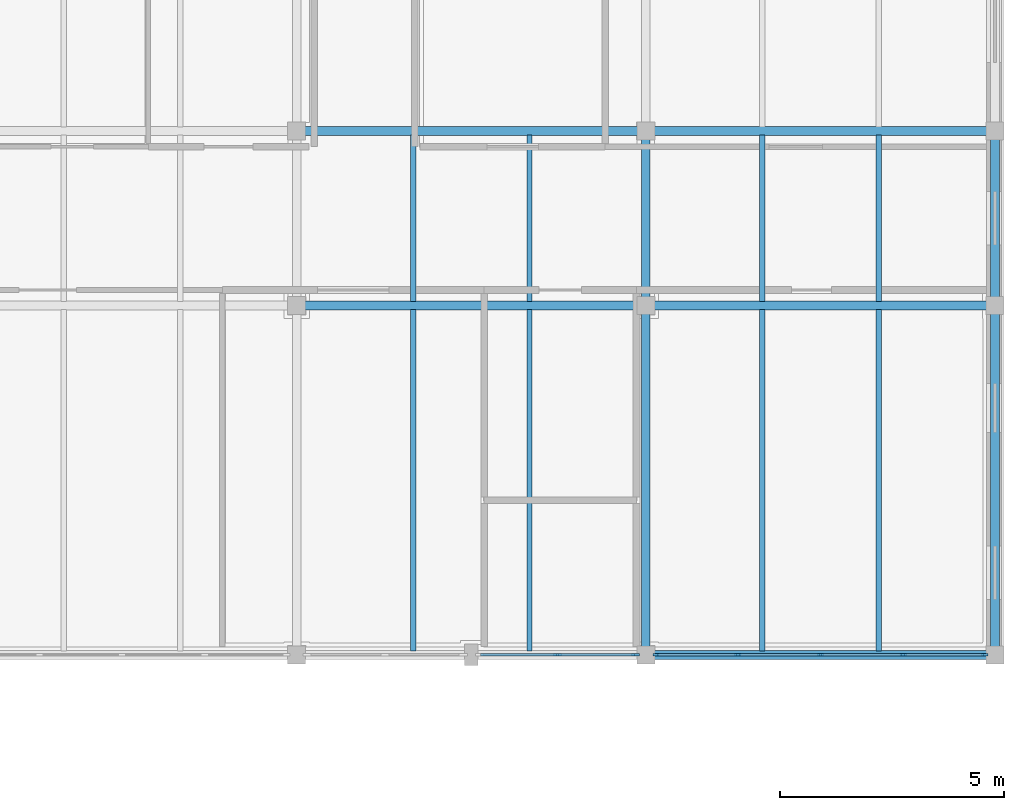
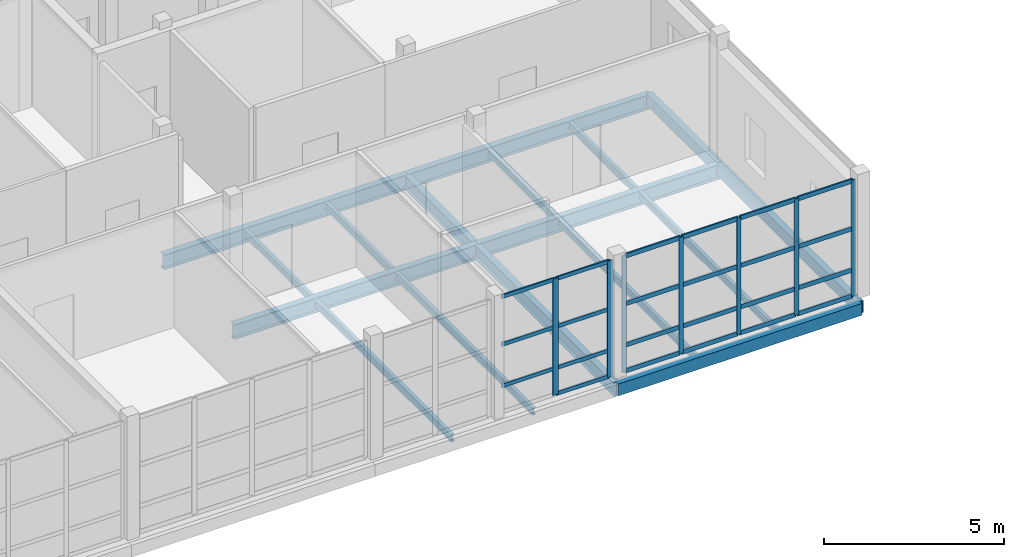
# One storey, part 8 of 21: 30 members, 17 beams, 2 elements without a shape of their own.
"""IFC4 building model written with IfcOpenShell, lengths in metres."""

from ifc_helpers import new_model, si_unit, direction, frame, origin, origin_2d, place, context, subcontext, project, spatial, rectangle, hollow_rectangle, i_section, extrude, material, layer, layer_set, material_profile, profile_set, type_object, element, aggregate, save


model = new_model("IFC4")

# Units and contexts
model_context = context("Model", 3, precision=1e-05, world=origin(), true_north=direction((0.0, 1.0)))
body_context = subcontext(model_context, "Body", "Model", "MODEL_VIEW")
ifc_project = project(units=[si_unit("LENGTHUNIT", "METRE"), si_unit("AREAUNIT", "SQUARE_METRE"), si_unit("VOLUMEUNIT", "CUBIC_METRE"), si_unit("PLANEANGLEUNIT", "RADIAN"), si_unit("MASSUNIT", "GRAM", prefix="KILO")], contexts=[model_context])

# Site, building, storey
site_placement = place(None, origin())
site = spatial("IfcSite", under=ifc_project, at=site_placement, CompositionType="ELEMENT")
building_placement = place(site_placement, origin())
building = spatial("IfcBuilding", under=site, at=building_placement, Name="Celorna Specialist Clinic", CompositionType="ELEMENT")
storey_placement = place(building_placement, frame((0.0, 0.0, 23.10009765625)))
storey = spatial("IfcBuildingStorey", under=building, at=storey_placement, Name="L05", CompositionType="ELEMENT", Elevation=23.10009765625)

# Beams
ifc_material_1 = material(Name="Steel S355", Category="steel")
ifc_material_profile_1 = material_profile(ifc_material_1, i_section(OverallWidth=0.199951171875, OverallDepth=0.5, WebThickness=0.01025390625, FlangeThickness=0.01611328125, at=origin_2d()), Name="IPE 500")
ifc_profile_set_1 = profile_set([ifc_material_profile_1], Name="Steel S355")
beam_type_1 = type_object("IfcBeamType", Name="BM-08", PredefinedType="BEAM", material=ifc_profile_set_1)
for number, where, z_axis, x_axis, name in (
    (1, (78.0, 104.300048828125, -0.530029296875), (1.0, 0.0, 0.0), (0.0, 1.0, 0.0), "Primary girder BM-08 #1426"),
    (2, (85.800048828125, 104.300048828125, -0.530029296875), (1.0, 0.0, 0.0), (0.0, 1.0, 0.0), "Primary girder BM-08 #1427"),
    (3, (78.0, 108.199951171875, -0.530029296875), (1.0, 0.0, 0.0), (0.0, 1.0, 0.0), "Primary girder BM-08 #1432"),
    (4, (85.800048828125, 108.199951171875, -0.530029296875), (1.0, 0.0, 0.0), (0.0, 1.0, 0.0), "Primary girder BM-08 #1433"),
):
    element("IfcBeam", number, at=place(storey_placement, frame(where, z_axis=z_axis, x_axis=x_axis)), inside=storey, type_object=beam_type_1, Name=name, PredefinedType="BEAM", context=body_context, shape_type="SweptSolid", body=[
        extrude(i_section(OverallWidth=0.199951171875, OverallDepth=0.5, WebThickness=0.01025390625, FlangeThickness=0.01611328125, at=origin_2d()), origin(), (0.0, 0.0, 1.0), 7.800048828125),
    ])
ifc_material_profile_2 = material_profile(ifc_material_1, i_section(OverallWidth=0.18994140625, OverallDepth=0.449951171875, WebThickness=0.009521484375, FlangeThickness=0.0146484375, at=origin_2d()), Name="IPE 450")
ifc_profile_set_2 = profile_set([ifc_material_profile_2], Name="Steel S355")
beam_type_2 = type_object("IfcBeamType", Name="BM-09", PredefinedType="BEAM", material=ifc_profile_set_2)
beam_1_placement = place(storey_placement, frame((85.800048828125, 96.5, -0.505126953125), z_axis=(0.0, 1.0, 0.0), x_axis=(-1.0, 0.0, 0.0)))
element("IfcBeam", 5, at=beam_1_placement, inside=storey, type_object=beam_type_2, Name="Transverse girder BM-09 #1455", PredefinedType="BEAM", context=body_context, shape_type="SweptSolid", body=[
    extrude(i_section(OverallWidth=0.18994140625, OverallDepth=0.449951171875, WebThickness=0.009521484375, FlangeThickness=0.0146484375, at=origin_2d()), origin(), (0.0, 0.0, 1.0), 7.800048828125),
])
beam_2_placement = place(storey_placement, frame((85.800048828125, 104.300048828125, -0.505126953125), z_axis=(0.0, 1.0, 0.0), x_axis=(-1.0, 0.0, 0.0)))
element("IfcBeam", 6, at=beam_2_placement, inside=storey, type_object=beam_type_2, Name="Transverse girder BM-09 #1456", PredefinedType="BEAM", context=body_context, shape_type="SweptSolid", body=[
    extrude(i_section(OverallWidth=0.18994140625, OverallDepth=0.449951171875, WebThickness=0.009521484375, FlangeThickness=0.0146484375, at=origin_2d()), origin(), (0.0, 0.0, 1.0), 3.89990234375),
])
ifc_material_profile_3 = material_profile(ifc_material_1, hollow_rectangle(XDim=0.199951171875, YDim=0.39990234375, WallThickness=0.011962890625, at=origin_2d()), Name="RHS 200x400x12")
ifc_profile_set_3 = profile_set([ifc_material_profile_3], Name="Steel S355")
beam_type_3 = type_object("IfcBeamType", Name="BM-15", PredefinedType="SPANDREL", material=ifc_profile_set_3)
for number, where, z_axis, x_axis, name in (
    (7, (85.800048828125, 96.5, -0.47998046875), (1.0, 0.0, 0.0), (0.0, 1.0, 0.0), "Spandrel beam BM-15 #1421"),
    (8, (93.60009765625, 96.5, -0.47998046875), (0.0, 1.0, 0.0), (-1.0, 0.0, 0.0), "Spandrel beam BM-15 #1458"),
):
    element("IfcBeam", number, at=place(storey_placement, frame(where, z_axis=z_axis, x_axis=x_axis)), inside=storey, type_object=beam_type_3, Name=name, PredefinedType="SPANDREL", context=body_context, shape_type="SweptSolid", body=[
        extrude(hollow_rectangle(XDim=0.199951171875, YDim=0.39990234375, WallThickness=0.011962890625, at=origin_2d()), origin(), (0.0, 0.0, 1.0), 7.800048828125),
    ])
beam_3_placement = place(storey_placement, frame((93.60009765625, 104.300048828125, -0.47998046875), z_axis=(0.0, 1.0, 0.0), x_axis=(-1.0, 0.0, 0.0)))
element("IfcBeam", 9, at=beam_3_placement, inside=storey, type_object=beam_type_3, Name="Spandrel beam BM-15 #1459", PredefinedType="SPANDREL", context=body_context, shape_type="SweptSolid", body=[
    extrude(hollow_rectangle(XDim=0.199951171875, YDim=0.39990234375, WallThickness=0.011962890625, at=origin_2d()), origin(), (0.0, 0.0, 1.0), 3.89990234375),
])
ifc_material_profile_4 = material_profile(ifc_material_1, i_section(OverallWidth=0.1201171875, OverallDepth=0.239990234375, WebThickness=0.006103515625, FlangeThickness=0.009765625, at=origin_2d()), Name="IPE 240")
ifc_profile_set_4 = profile_set([ifc_material_profile_4], Name="Steel S355")
beam_type_4 = type_object("IfcBeamType", Name="BM-23", PredefinedType="JOIST", material=ifc_profile_set_4)
for number, where, z_axis, x_axis, name in (
    (10, (80.60009765625, 96.587890625, -0.400146484375), (0.0, 1.0, 0.0), (-1.0, 0.0, 0.0), "Secondary floor joist BM-23 #1483"),
    (11, (83.199951171875, 96.587890625, -0.400146484375), (0.0, 1.0, 0.0), (-1.0, 0.0, 0.0), "Secondary floor joist BM-23 #1484"),
):
    element("IfcBeam", number, at=place(storey_placement, frame(where, z_axis=z_axis, x_axis=x_axis)), inside=storey, type_object=beam_type_4, Name=name, PredefinedType="JOIST", context=body_context, shape_type="SweptSolid", body=[
        extrude(i_section(OverallWidth=0.1201171875, OverallDepth=0.239990234375, WebThickness=0.006103515625, FlangeThickness=0.009765625, at=origin_2d()), origin(), (0.0, 0.0, 1.0), 7.6240234375),
    ])
for number, where, z_axis, x_axis, name in (
    (12, (80.60009765625, 104.387939453125, -0.400146484375), (0.0, 1.0, 0.0), (-1.0, 0.0, 0.0), "Secondary floor joist BM-23 #1485"),
    (13, (83.199951171875, 104.387939453125, -0.400146484375), (0.0, 1.0, 0.0), (-1.0, 0.0, 0.0), "Secondary floor joist BM-23 #1486"),
):
    element("IfcBeam", number, at=place(storey_placement, frame(where, z_axis=z_axis, x_axis=x_axis)), inside=storey, type_object=beam_type_4, Name=name, PredefinedType="JOIST", context=body_context, shape_type="SweptSolid", body=[
        extrude(i_section(OverallWidth=0.1201171875, OverallDepth=0.239990234375, WebThickness=0.006103515625, FlangeThickness=0.009765625, at=origin_2d()), origin(), (0.0, 0.0, 1.0), 3.72412109375),
    ])
for number, where, z_axis, x_axis, name in (
    (14, (88.39990234375, 96.587890625, -0.400146484375), (0.0, 1.0, 0.0), (-1.0, 0.0, 0.0), "Secondary floor joist BM-23 #1487"),
    (15, (91.0, 96.587890625, -0.400146484375), (0.0, 1.0, 0.0), (-1.0, 0.0, 0.0), "Secondary floor joist BM-23 #1488"),
):
    element("IfcBeam", number, at=place(storey_placement, frame(where, z_axis=z_axis, x_axis=x_axis)), inside=storey, type_object=beam_type_4, Name=name, PredefinedType="JOIST", context=body_context, shape_type="SweptSolid", body=[
        extrude(i_section(OverallWidth=0.1201171875, OverallDepth=0.239990234375, WebThickness=0.006103515625, FlangeThickness=0.009765625, at=origin_2d()), origin(), (0.0, 0.0, 1.0), 7.6240234375),
    ])
for number, where, z_axis, x_axis, name in (
    (16, (88.39990234375, 104.387939453125, -0.400146484375), (0.0, 1.0, 0.0), (-1.0, 0.0, 0.0), "Secondary floor joist BM-23 #1489"),
    (17, (91.0, 104.387939453125, -0.400146484375), (0.0, 1.0, 0.0), (-1.0, 0.0, 0.0), "Secondary floor joist BM-23 #1490"),
):
    element("IfcBeam", number, at=place(storey_placement, frame(where, z_axis=z_axis, x_axis=x_axis)), inside=storey, type_object=beam_type_4, Name=name, PredefinedType="JOIST", context=body_context, shape_type="SweptSolid", body=[
        extrude(i_section(OverallWidth=0.1201171875, OverallDepth=0.239990234375, WebThickness=0.006103515625, FlangeThickness=0.009765625, at=origin_2d()), origin(), (0.0, 0.0, 1.0), 3.72412109375),
    ])

# Curtain wall, members
ifc_material_2 = material(Name="Thermally broken aluminium and solar-control glass curtain wall", Category="aluminium")
ifc_layer_1 = layer(ifc_material_2, 0.159912109375, Name="Thermally broken aluminium and solar-control glass curtain wall")
ifc_layer_set_1 = layer_set([ifc_layer_1], Name="Thermally broken aluminium and solar-control glass curtain wall")
curtain_wall_type_1 = type_object("IfcCurtainWallType", Name="CW-81", PredefinedType="NOTDEFINED", material=ifc_layer_set_1)
curtain_wall_1_placement = place(storey_placement, origin())
curtain_wall_1 = element("IfcCurtainWall", 18, at=curtain_wall_1_placement, inside=storey, type_object=curtain_wall_type_1, Name="Curtain wall CW-81 #150", PredefinedType="NOTDEFINED")
ifc_material_3 = material(Name="Anodized aluminium mullion", Category="aluminium")
ifc_material_profile_5 = material_profile(ifc_material_3, rectangle(XDim=0.050048828125, YDim=0.179931640625, at=origin_2d()), Name="ALU MULLION 50x180")
ifc_profile_set_5 = profile_set([ifc_material_profile_5], Name="Anodized aluminium mullion")
member_type_1 = type_object("IfcMemberType", Name="ML-02", PredefinedType="MULLION", material=ifc_profile_set_5)
member_1_placement = place(storey_placement, frame((85.571044921875, 96.5, 0.0), z_axis=(0.0, 0.0, 1.0), x_axis=(0.0, -1.0, 0.0)))
member_1 = element("IfcMember", 19, at=member_1_placement, type_object=member_type_1, Name="CW-81 mullion 1", PredefinedType="MULLION", context=body_context, shape_type="SweptSolid", body=[
    extrude(rectangle(XDim=0.050048828125, YDim=0.179931640625, at=origin_2d()), origin(), (0.0, 0.0, 1.0), 3.93994140625),
])
member_2_placement = place(storey_placement, frame((83.824951171875, 96.5, 0.0), z_axis=(0.0, 0.0, 1.0), x_axis=(0.0, -1.0, 0.0)))
member_2 = element("IfcMember", 20, at=member_2_placement, type_object=member_type_1, Name="CW-81 mullion 2", PredefinedType="MULLION", context=body_context, shape_type="SweptSolid", body=[
    extrude(rectangle(XDim=0.050048828125, YDim=0.179931640625, at=origin_2d()), origin(), (0.0, 0.0, 1.0), 3.93994140625),
])

ifc_layer_2 = layer(ifc_material_2, 0.159912109375, Name="Thermally broken aluminium and solar-control glass curtain wall")
ifc_layer_set_2 = layer_set([ifc_layer_2], Name="Thermally broken aluminium and solar-control glass curtain wall")
curtain_wall_type_2 = type_object("IfcCurtainWallType", Name="CW-79", PredefinedType="NOTDEFINED", material=ifc_layer_set_2)
curtain_wall_2_placement = place(storey_placement, origin())
curtain_wall_2 = element("IfcCurtainWall", 21, at=curtain_wall_2_placement, inside=storey, type_object=curtain_wall_type_2, Name="Curtain wall CW-79 #152", PredefinedType="NOTDEFINED")
ifc_material_profile_6 = material_profile(ifc_material_3, rectangle(XDim=0.050048828125, YDim=0.139892578125, at=origin_2d()), Name="ALU MULLION 50x140")
ifc_profile_set_6 = profile_set([ifc_material_profile_6], Name="Anodized aluminium mullion")
member_type_2 = type_object("IfcMemberType", Name="ML-03", PredefinedType="MULLION", material=ifc_profile_set_6)
member_3_placement = place(storey_placement, frame((93.37109375, 96.5, 0.0), z_axis=(0.0, 0.0, 1.0), x_axis=(0.0, -1.0, 0.0)))
member_3 = element("IfcMember", 22, at=member_3_placement, type_object=member_type_2, Name="CW-79 mullion 1", PredefinedType="MULLION", context=body_context, shape_type="SweptSolid", body=[
    extrude(rectangle(XDim=0.050048828125, YDim=0.139892578125, at=origin_2d()), origin(), (0.0, 0.0, 1.0), 3.93994140625),
])
member_4_placement = place(storey_placement, frame((91.548095703125, 96.5, 0.0), z_axis=(0.0, 0.0, 1.0), x_axis=(0.0, -1.0, 0.0)))
member_4 = element("IfcMember", 23, at=member_4_placement, type_object=member_type_2, Name="CW-79 mullion 2", PredefinedType="MULLION", context=body_context, shape_type="SweptSolid", body=[
    extrude(rectangle(XDim=0.050048828125, YDim=0.139892578125, at=origin_2d()), origin(), (0.0, 0.0, 1.0), 3.93994140625),
])
member_5_placement = place(storey_placement, frame((89.699951171875, 96.5, 0.0), z_axis=(0.0, 0.0, 1.0), x_axis=(0.0, -1.0, 0.0)))
member_5 = element("IfcMember", 24, at=member_5_placement, type_object=member_type_2, Name="CW-79 mullion 3", PredefinedType="MULLION", context=body_context, shape_type="SweptSolid", body=[
    extrude(rectangle(XDim=0.050048828125, YDim=0.139892578125, at=origin_2d()), origin(), (0.0, 0.0, 1.0), 3.93994140625),
])
member_6_placement = place(storey_placement, frame((87.85205078125, 96.5, 0.0), z_axis=(0.0, 0.0, 1.0), x_axis=(0.0, -1.0, 0.0)))
member_6 = element("IfcMember", 25, at=member_6_placement, type_object=member_type_2, Name="CW-79 mullion 4", PredefinedType="MULLION", context=body_context, shape_type="SweptSolid", body=[
    extrude(rectangle(XDim=0.050048828125, YDim=0.139892578125, at=origin_2d()), origin(), (0.0, 0.0, 1.0), 3.93994140625),
])
member_7_placement = place(storey_placement, frame((86.029052734375, 96.5, 0.0), z_axis=(0.0, 0.0, 1.0), x_axis=(0.0, -1.0, 0.0)))
member_7 = element("IfcMember", 26, at=member_7_placement, type_object=member_type_2, Name="CW-79 mullion 5", PredefinedType="MULLION", context=body_context, shape_type="SweptSolid", body=[
    extrude(rectangle(XDim=0.050048828125, YDim=0.139892578125, at=origin_2d()), origin(), (0.0, 0.0, 1.0), 3.93994140625),
])

# Member
ifc_material_4 = material(Name="Anodized aluminium transom", Category="aluminium")
ifc_material_profile_7 = material_profile(ifc_material_4, rectangle(XDim=0.050048828125, YDim=0.1298828125, at=origin_2d()), Name="ALU TRANSOM 50x130")
ifc_profile_set_7 = profile_set([ifc_material_profile_7], Name="Anodized aluminium transom")
member_type_3 = type_object("IfcMemberType", Name="TR-01", PredefinedType="USERDEFINED", material=ifc_profile_set_7)
member_8_placement = place(storey_placement, frame((85.5458984375, 96.5, 0.02490234375), z_axis=(-1.0, 0.0, 0.0), x_axis=(0.0, -1.0, 0.0)))
member_8 = element("IfcMember", 27, at=member_8_placement, type_object=member_type_3, Name="CW-81 transom 1.1", ObjectType="TRANSOM", PredefinedType="USERDEFINED", context=body_context, shape_type="SweptSolid", body=[
    extrude(rectangle(XDim=0.050048828125, YDim=0.1298828125, at=origin_2d()), origin(), (0.0, 0.0, 1.0), 1.69580078125),
])

member_9_placement = place(storey_placement, frame((85.5458984375, 96.5, 0.89990234375), z_axis=(-1.0, 0.0, 0.0), x_axis=(0.0, -1.0, 0.0)))
member_9 = element("IfcMember", 28, at=member_9_placement, type_object=member_type_3, Name="CW-81 transom 1.2", ObjectType="TRANSOM", PredefinedType="USERDEFINED", context=body_context, shape_type="SweptSolid", body=[
    extrude(rectangle(XDim=0.050048828125, YDim=0.1298828125, at=origin_2d()), origin(), (0.0, 0.0, 1.0), 1.69580078125),
])

member_10_placement = place(storey_placement, frame((85.5458984375, 96.5, 2.2998046875), z_axis=(-1.0, 0.0, 0.0), x_axis=(0.0, -1.0, 0.0)))
member_10 = element("IfcMember", 29, at=member_10_placement, type_object=member_type_3, Name="CW-81 transom 1.3", ObjectType="TRANSOM", PredefinedType="USERDEFINED", context=body_context, shape_type="SweptSolid", body=[
    extrude(rectangle(XDim=0.050048828125, YDim=0.1298828125, at=origin_2d()), origin(), (0.0, 0.0, 1.0), 1.69580078125),
])

member_11_placement = place(storey_placement, frame((85.5458984375, 96.5, 3.914794921875), z_axis=(-1.0, 0.0, 0.0), x_axis=(0.0, -1.0, 0.0)))
member_11 = element("IfcMember", 30, at=member_11_placement, type_object=member_type_3, Name="CW-81 transom 1.4", ObjectType="TRANSOM", PredefinedType="USERDEFINED", context=body_context, shape_type="SweptSolid", body=[
    extrude(rectangle(XDim=0.050048828125, YDim=0.1298828125, at=origin_2d()), origin(), (0.0, 0.0, 1.0), 1.69580078125),
])

member_12_placement = place(storey_placement, frame((83.800048828125, 96.5, 0.89990234375), z_axis=(-1.0, 0.0, 0.0), x_axis=(0.0, -1.0, 0.0)))
member_12 = element("IfcMember", 31, at=member_12_placement, type_object=member_type_3, Name="CW-81 transom 2.2", ObjectType="TRANSOM", PredefinedType="USERDEFINED", context=body_context, shape_type="SweptSolid", body=[
    extrude(rectangle(XDim=0.050048828125, YDim=0.1298828125, at=origin_2d()), origin(), (0.0, 0.0, 1.0), 1.696044921875),
])

member_13_placement = place(storey_placement, frame((83.800048828125, 96.5, 2.2998046875), z_axis=(-1.0, 0.0, 0.0), x_axis=(0.0, -1.0, 0.0)))
member_13 = element("IfcMember", 32, at=member_13_placement, type_object=member_type_3, Name="CW-81 transom 2.3", ObjectType="TRANSOM", PredefinedType="USERDEFINED", context=body_context, shape_type="SweptSolid", body=[
    extrude(rectangle(XDim=0.050048828125, YDim=0.1298828125, at=origin_2d()), origin(), (0.0, 0.0, 1.0), 1.696044921875),
])

member_14_placement = place(storey_placement, frame((83.800048828125, 96.5, 3.914794921875), z_axis=(-1.0, 0.0, 0.0), x_axis=(0.0, -1.0, 0.0)))
member_14 = element("IfcMember", 33, at=member_14_placement, type_object=member_type_3, Name="CW-81 transom 2.4", ObjectType="TRANSOM", PredefinedType="USERDEFINED", context=body_context, shape_type="SweptSolid", body=[
    extrude(rectangle(XDim=0.050048828125, YDim=0.1298828125, at=origin_2d()), origin(), (0.0, 0.0, 1.0), 1.696044921875),
])

aggregate(curtain_wall_1, [member_1, member_2, member_8, member_9, member_10, member_11, member_12, member_13, member_14])

ifc_material_profile_8 = material_profile(ifc_material_4, rectangle(XDim=0.050048828125, YDim=0.14990234375, at=origin_2d()), Name="ALU TRANSOM 50x150")
ifc_profile_set_8 = profile_set([ifc_material_profile_8], Name="Anodized aluminium transom")
member_type_4 = type_object("IfcMemberType", Name="TR-02", PredefinedType="USERDEFINED", material=ifc_profile_set_8)
member_15_placement = place(storey_placement, frame((93.345947265625, 96.5, 0.02490234375), z_axis=(-1.0, 0.0, 0.0), x_axis=(0.0, -1.0, 0.0)))
member_15 = element("IfcMember", 34, at=member_15_placement, type_object=member_type_4, Name="CW-79 transom 1.1", ObjectType="TRANSOM", PredefinedType="USERDEFINED", context=body_context, shape_type="SweptSolid", body=[
    extrude(rectangle(XDim=0.050048828125, YDim=0.14990234375, at=origin_2d()), origin(), (0.0, 0.0, 1.0), 1.77294921875),
])

member_16_placement = place(storey_placement, frame((93.345947265625, 96.5, 0.89990234375), z_axis=(-1.0, 0.0, 0.0), x_axis=(0.0, -1.0, 0.0)))
member_16 = element("IfcMember", 35, at=member_16_placement, type_object=member_type_4, Name="CW-79 transom 1.2", ObjectType="TRANSOM", PredefinedType="USERDEFINED", context=body_context, shape_type="SweptSolid", body=[
    extrude(rectangle(XDim=0.050048828125, YDim=0.14990234375, at=origin_2d()), origin(), (0.0, 0.0, 1.0), 1.77294921875),
])

member_17_placement = place(storey_placement, frame((93.345947265625, 96.5, 2.2998046875), z_axis=(-1.0, 0.0, 0.0), x_axis=(0.0, -1.0, 0.0)))
member_17 = element("IfcMember", 36, at=member_17_placement, type_object=member_type_4, Name="CW-79 transom 1.3", ObjectType="TRANSOM", PredefinedType="USERDEFINED", context=body_context, shape_type="SweptSolid", body=[
    extrude(rectangle(XDim=0.050048828125, YDim=0.14990234375, at=origin_2d()), origin(), (0.0, 0.0, 1.0), 1.77294921875),
])

member_18_placement = place(storey_placement, frame((93.345947265625, 96.5, 3.914794921875), z_axis=(-1.0, 0.0, 0.0), x_axis=(0.0, -1.0, 0.0)))
member_18 = element("IfcMember", 37, at=member_18_placement, type_object=member_type_4, Name="CW-79 transom 1.4", ObjectType="TRANSOM", PredefinedType="USERDEFINED", context=body_context, shape_type="SweptSolid", body=[
    extrude(rectangle(XDim=0.050048828125, YDim=0.14990234375, at=origin_2d()), origin(), (0.0, 0.0, 1.0), 1.77294921875),
])

member_19_placement = place(storey_placement, frame((91.52294921875, 96.5, 0.02490234375), z_axis=(-1.0, 0.0, 0.0), x_axis=(0.0, -1.0, 0.0)))
member_19 = element("IfcMember", 38, at=member_19_placement, type_object=member_type_4, Name="CW-79 transom 2.1", ObjectType="TRANSOM", PredefinedType="USERDEFINED", context=body_context, shape_type="SweptSolid", body=[
    extrude(rectangle(XDim=0.050048828125, YDim=0.14990234375, at=origin_2d()), origin(), (0.0, 0.0, 1.0), 1.7978515625),
])

member_20_placement = place(storey_placement, frame((91.52294921875, 96.5, 0.89990234375), z_axis=(-1.0, 0.0, 0.0), x_axis=(0.0, -1.0, 0.0)))
member_20 = element("IfcMember", 39, at=member_20_placement, type_object=member_type_4, Name="CW-79 transom 2.2", ObjectType="TRANSOM", PredefinedType="USERDEFINED", context=body_context, shape_type="SweptSolid", body=[
    extrude(rectangle(XDim=0.050048828125, YDim=0.14990234375, at=origin_2d()), origin(), (0.0, 0.0, 1.0), 1.7978515625),
])

member_21_placement = place(storey_placement, frame((91.52294921875, 96.5, 2.2998046875), z_axis=(-1.0, 0.0, 0.0), x_axis=(0.0, -1.0, 0.0)))
member_21 = element("IfcMember", 40, at=member_21_placement, type_object=member_type_4, Name="CW-79 transom 2.3", ObjectType="TRANSOM", PredefinedType="USERDEFINED", context=body_context, shape_type="SweptSolid", body=[
    extrude(rectangle(XDim=0.050048828125, YDim=0.14990234375, at=origin_2d()), origin(), (0.0, 0.0, 1.0), 1.7978515625),
])

member_22_placement = place(storey_placement, frame((91.52294921875, 96.5, 3.914794921875), z_axis=(-1.0, 0.0, 0.0), x_axis=(0.0, -1.0, 0.0)))
member_22 = element("IfcMember", 41, at=member_22_placement, type_object=member_type_4, Name="CW-79 transom 2.4", ObjectType="TRANSOM", PredefinedType="USERDEFINED", context=body_context, shape_type="SweptSolid", body=[
    extrude(rectangle(XDim=0.050048828125, YDim=0.14990234375, at=origin_2d()), origin(), (0.0, 0.0, 1.0), 1.7978515625),
])

member_23_placement = place(storey_placement, frame((89.675048828125, 96.5, 0.02490234375), z_axis=(-1.0, 0.0, 0.0), x_axis=(0.0, -1.0, 0.0)))
member_23 = element("IfcMember", 42, at=member_23_placement, type_object=member_type_4, Name="CW-79 transom 3.1", ObjectType="TRANSOM", PredefinedType="USERDEFINED", context=body_context, shape_type="SweptSolid", body=[
    extrude(rectangle(XDim=0.050048828125, YDim=0.14990234375, at=origin_2d()), origin(), (0.0, 0.0, 1.0), 1.798095703125),
])

member_24_placement = place(storey_placement, frame((89.675048828125, 96.5, 0.89990234375), z_axis=(-1.0, 0.0, 0.0), x_axis=(0.0, -1.0, 0.0)))
member_24 = element("IfcMember", 43, at=member_24_placement, type_object=member_type_4, Name="CW-79 transom 3.2", ObjectType="TRANSOM", PredefinedType="USERDEFINED", context=body_context, shape_type="SweptSolid", body=[
    extrude(rectangle(XDim=0.050048828125, YDim=0.14990234375, at=origin_2d()), origin(), (0.0, 0.0, 1.0), 1.798095703125),
])

member_25_placement = place(storey_placement, frame((89.675048828125, 96.5, 2.2998046875), z_axis=(-1.0, 0.0, 0.0), x_axis=(0.0, -1.0, 0.0)))
member_25 = element("IfcMember", 44, at=member_25_placement, type_object=member_type_4, Name="CW-79 transom 3.3", ObjectType="TRANSOM", PredefinedType="USERDEFINED", context=body_context, shape_type="SweptSolid", body=[
    extrude(rectangle(XDim=0.050048828125, YDim=0.14990234375, at=origin_2d()), origin(), (0.0, 0.0, 1.0), 1.798095703125),
])

member_26_placement = place(storey_placement, frame((89.675048828125, 96.5, 3.914794921875), z_axis=(-1.0, 0.0, 0.0), x_axis=(0.0, -1.0, 0.0)))
member_26 = element("IfcMember", 45, at=member_26_placement, type_object=member_type_4, Name="CW-79 transom 3.4", ObjectType="TRANSOM", PredefinedType="USERDEFINED", context=body_context, shape_type="SweptSolid", body=[
    extrude(rectangle(XDim=0.050048828125, YDim=0.14990234375, at=origin_2d()), origin(), (0.0, 0.0, 1.0), 1.798095703125),
])

member_27_placement = place(storey_placement, frame((87.826904296875, 96.5, 0.02490234375), z_axis=(-1.0, 0.0, 0.0), x_axis=(0.0, -1.0, 0.0)))
member_27 = element("IfcMember", 46, at=member_27_placement, type_object=member_type_4, Name="CW-79 transom 4.1", ObjectType="TRANSOM", PredefinedType="USERDEFINED", context=body_context, shape_type="SweptSolid", body=[
    extrude(rectangle(XDim=0.050048828125, YDim=0.14990234375, at=origin_2d()), origin(), (0.0, 0.0, 1.0), 1.77294921875),
])

member_28_placement = place(storey_placement, frame((87.826904296875, 96.5, 0.89990234375), z_axis=(-1.0, 0.0, 0.0), x_axis=(0.0, -1.0, 0.0)))
member_28 = element("IfcMember", 47, at=member_28_placement, type_object=member_type_4, Name="CW-79 transom 4.2", ObjectType="TRANSOM", PredefinedType="USERDEFINED", context=body_context, shape_type="SweptSolid", body=[
    extrude(rectangle(XDim=0.050048828125, YDim=0.14990234375, at=origin_2d()), origin(), (0.0, 0.0, 1.0), 1.77294921875),
])

member_29_placement = place(storey_placement, frame((87.826904296875, 96.5, 2.2998046875), z_axis=(-1.0, 0.0, 0.0), x_axis=(0.0, -1.0, 0.0)))
member_29 = element("IfcMember", 48, at=member_29_placement, type_object=member_type_4, Name="CW-79 transom 4.3", ObjectType="TRANSOM", PredefinedType="USERDEFINED", context=body_context, shape_type="SweptSolid", body=[
    extrude(rectangle(XDim=0.050048828125, YDim=0.14990234375, at=origin_2d()), origin(), (0.0, 0.0, 1.0), 1.77294921875),
])

member_30_placement = place(storey_placement, frame((87.826904296875, 96.5, 3.914794921875), z_axis=(-1.0, 0.0, 0.0), x_axis=(0.0, -1.0, 0.0)))
member_30 = element("IfcMember", 49, at=member_30_placement, type_object=member_type_4, Name="CW-79 transom 4.4", ObjectType="TRANSOM", PredefinedType="USERDEFINED", context=body_context, shape_type="SweptSolid", body=[
    extrude(rectangle(XDim=0.050048828125, YDim=0.14990234375, at=origin_2d()), origin(), (0.0, 0.0, 1.0), 1.77294921875),
])

aggregate(curtain_wall_2, [member_3, member_4, member_5, member_6, member_7, member_15, member_16, member_17, member_18, member_19, member_20, member_21, member_22, member_23, member_24, member_25, member_26, member_27, member_28, member_29, member_30])

save(model, "model.ifc")
